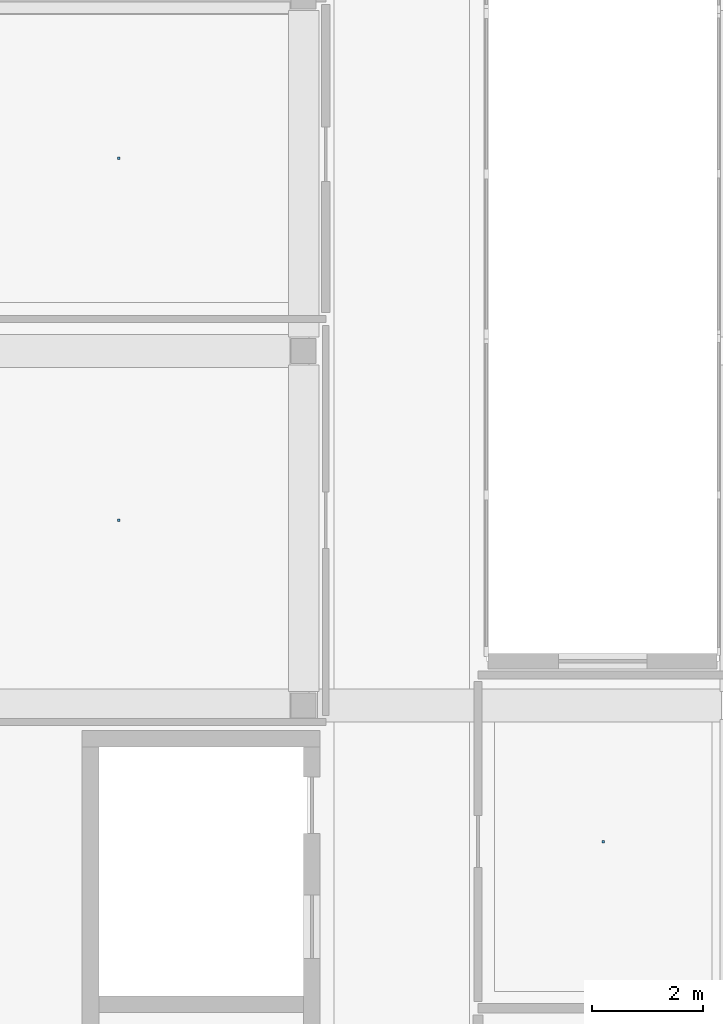
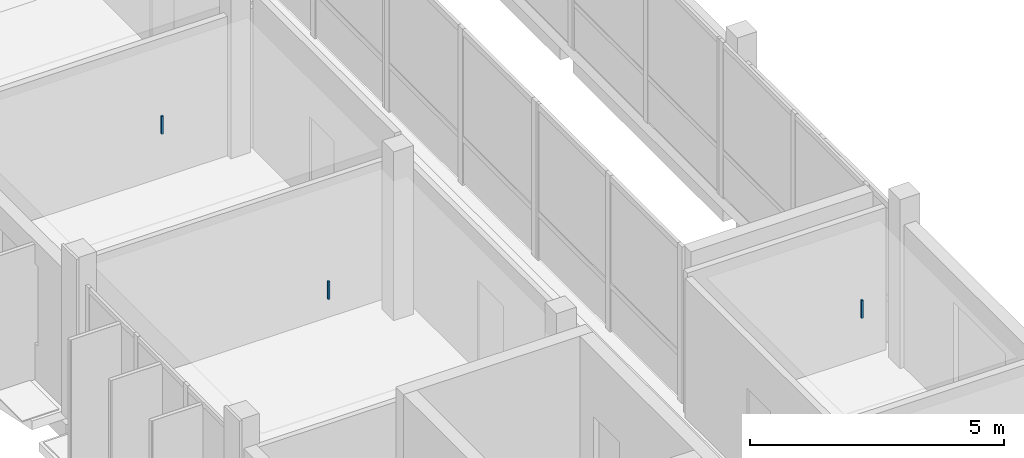
# One storey, part 65 of 86: 3 discrete accessories.
"""IFC4 building model written with IfcOpenShell, lengths in metres."""

from ifc_helpers import new_model, si_unit, derived_unit, direction, frame, origin, origin_2d, place, context, subcontext, project, spatial, rectangle, extrude, material, type_object, element, save


model = new_model("IFC4")

# Units and contexts
model_context = context("Model", 3, precision=1e-05, world=origin(), true_north=direction((0.0, 1.0)))
body_context = subcontext(model_context, "Body", "Model", "MODEL_VIEW")
ifc_project = project(units=[si_unit("LENGTHUNIT", "METRE"), si_unit("AREAUNIT", "SQUARE_METRE"), si_unit("VOLUMEUNIT", "CUBIC_METRE"), si_unit("PLANEANGLEUNIT", "RADIAN"), si_unit("MASSUNIT", "GRAM", prefix="KILO"), derived_unit("THERMALTRANSMITTANCEUNIT", [(si_unit("POWERUNIT", "WATT"), 1), (si_unit("LENGTHUNIT", "METRE"), -2), (si_unit("THERMODYNAMICTEMPERATUREUNIT", "KELVIN"), -1)])], contexts=[model_context])

# Site, building, storey
site_placement = place(None, origin())
site = spatial("IfcSite", under=ifc_project, at=site_placement, CompositionType="ELEMENT")
building_placement = place(site_placement, origin())
building = spatial("IfcBuilding", under=site, at=building_placement, Name="Braskholm Square Health Centre", CompositionType="ELEMENT")
storey_placement = place(building_placement, frame((0.0, 0.0, 13.5)))
storey = spatial("IfcBuildingStorey", under=building, at=storey_placement, Name="L04", CompositionType="ELEMENT", Elevation=13.5)

# Discrete accessories
ifc_material = material(Name="Steel ASTM A500 Grade C", Category="steel")
discrete_accessory_type = type_object("IfcDiscreteAccessoryType", Name="CeilingSuspensionBracket", PredefinedType="BRACKET", material=ifc_material)
for number, where, z_axis, x_axis, name in (
    (1, (8.06005859375, 33.139892578125, 3.33203125), (0.0, 0.0, 1.0), (1.0, 0.0, 0.0), "Ceiling hanger bracket 0062"),
    (2, (8.06005859375, 39.679931640625, 3.33203125), (0.0, 0.0, 1.0), (1.0, 0.0, 0.0), "Ceiling hanger bracket 0063"),
    (3, (16.81494140625, 27.340087890625, 3.33203125), (0.0, 0.0, 1.0), (1.0, 0.0, 0.0), "Ceiling hanger bracket 0072"),
):
    element("IfcDiscreteAccessory", number, at=place(storey_placement, frame(where, z_axis=z_axis, x_axis=x_axis)), inside=storey, type_object=discrete_accessory_type, Name=name, PredefinedType="BRACKET", context=body_context, shape_type="SweptSolid", body=[
        extrude(rectangle(XDim=0.044921875, YDim=0.044921875, at=origin_2d()), origin(), (0.0, 0.0, 1.0), 0.429931640625),
    ])

save(model, "model.ifc")
